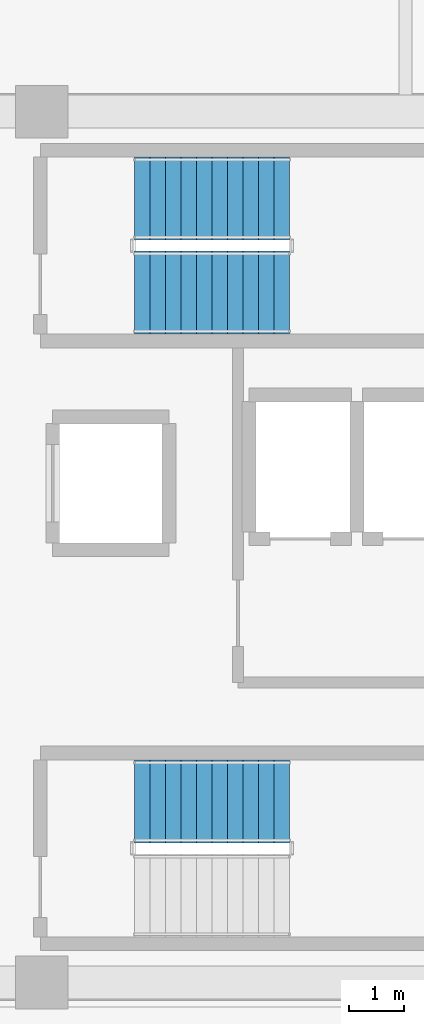
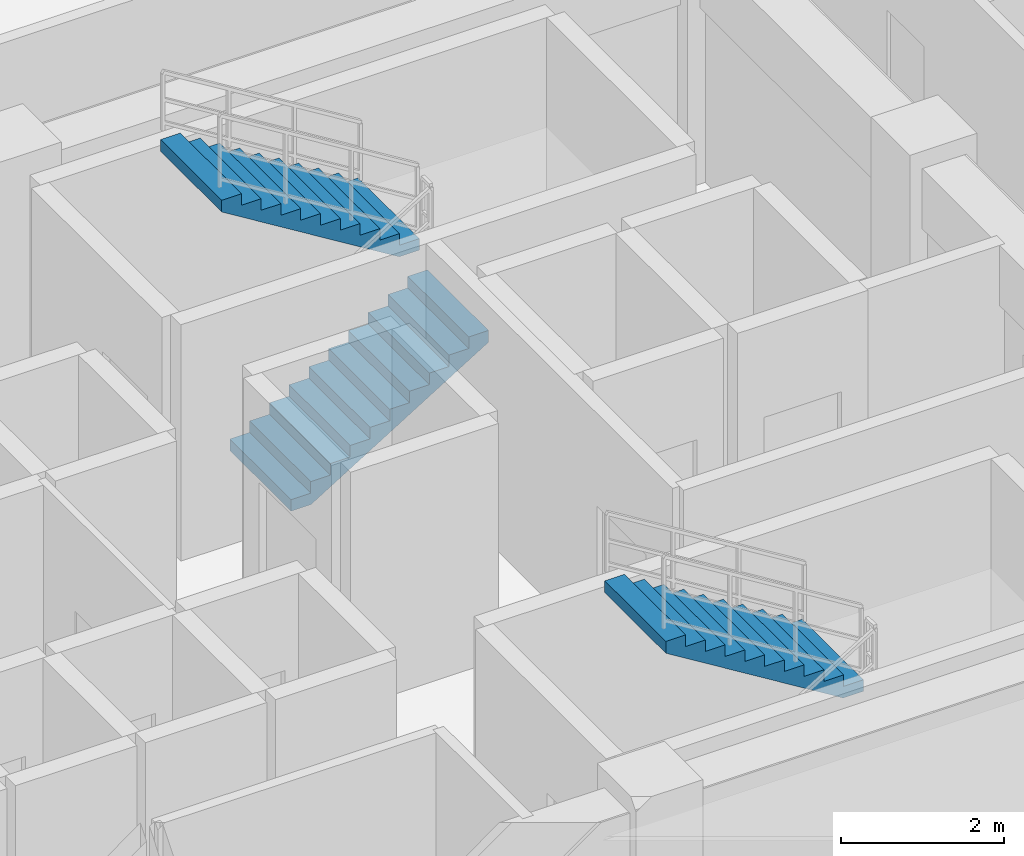
# One storey, part 9 of 12: 3 stair flights, 2 elements without a shape of their own.
"""IFC4 building model written with IfcOpenShell, lengths in metres."""

import ifcopenshell
import ifcopenshell.guid

model = None  # the IFC model being written
_history = None  # IfcOwnerHistory: only IFC2X3 demands one
_inside = {}  # id of a spatial element -> (the spatial element, [elements in it])
_under = {}  # id of a project, library or spatial element -> (it, [spatial elements below it])
_declared = {}  # id of a project -> (the project, [libraries it declares])
_typed = {}  # id of a type object -> (the type object, [elements of that type])
_made_of = {}  # id of a material, layer set ... -> (it, [elements and type objects made of it])


def new_model(schema):
    """Start an empty IFC model of exactly this schema.

    Asked for "IFC4X3", IfcOpenShell would pick the latest addendum, in which some entities
    have other attributes; the version numbers below select the first issue.
    IFC2X3 requires an IfcOwnerHistory on every rooted entity: one is made here for all.
    """
    global model, _history
    if schema == "IFC4X3":
        model = ifcopenshell.file(schema_version=(4, 3, 0, 0))
    else:
        model = ifcopenshell.file(schema=schema)
    _inside.clear()
    _under.clear()
    _declared.clear()
    _typed.clear()
    _made_of.clear()
    _history = None
    if model.schema == "IFC2X3":
        org = make("IfcOrganization", Name="unknown")
        user = make(
            "IfcPersonAndOrganization",
            ThePerson=make("IfcPerson", FamilyName="unknown"),
            TheOrganization=org,
        )
        app = make(
            "IfcApplication",
            ApplicationDeveloper=org,
            Version="unknown",
            ApplicationFullName="unknown",
            ApplicationIdentifier="unknown",
        )
        _history = make(
            "IfcOwnerHistory",
            OwningUser=user,
            OwningApplication=app,
            ChangeAction="ADDED",
            CreationDate=0,
        )
    return model


def make(cls, **values):
    """One entity of the class cls with the attributes given. An attribute that is None is left unset."""
    return model.create_entity(
        cls, **{name: value for name, value in values.items() if value is not None}
    )


def rooted(cls, **values):
    """An entity with a GlobalId (a new one), such as an element, a storey or a relation."""
    return make(cls, GlobalId=ifcopenshell.guid.new(), OwnerHistory=_history, **values)


def si_unit(unit_type, name, prefix=None):
    """IfcSIUnit, for example si_unit("LENGTHUNIT", "METRE", prefix="MILLI")."""
    return make("IfcSIUnit", UnitType=unit_type, Prefix=prefix, Name=name)


def assignment(units):
    """IfcUnitAssignment: the units of a project."""
    return None if units is None else make("IfcUnitAssignment", Units=units)


def point(xyz):
    """IfcCartesianPoint."""
    return None if xyz is None else make("IfcCartesianPoint", Coordinates=xyz)


def direction(xyz):
    """IfcDirection."""
    return None if xyz is None else make("IfcDirection", DirectionRatios=xyz)


def frame(location, z_axis=None, x_axis=None):
    """IfcAxis2Placement3D, a coordinate frame: its origin and axes. An axis left out is left unset."""
    return make(
        "IfcAxis2Placement3D",
        Location=point(location),
        Axis=direction(z_axis),
        RefDirection=direction(x_axis),
    )


def origin():
    """The frame at (0, 0, 0) with its axes left unset."""
    return frame((0.0, 0.0, 0.0))


def place(relative_to, where):
    """IfcLocalPlacement: puts the frame where relative to a parent placement (None: the world)."""
    return make(
        "IfcLocalPlacement", PlacementRelTo=relative_to, RelativePlacement=where
    )


def context(
    kind, dimensions, precision=None, world=None, true_north=None, identifier=None
):
    """IfcGeometricRepresentationContext, for example the 3D "Model" context."""
    return make(
        "IfcGeometricRepresentationContext",
        ContextIdentifier=identifier,
        ContextType=kind,
        CoordinateSpaceDimension=dimensions,
        Precision=precision,
        WorldCoordinateSystem=world,
        TrueNorth=true_north,
    )


def subcontext(parent, identifier, kind, view, scale=None):
    """IfcGeometricRepresentationSubContext, for example "Body" below "Model"."""
    return make(
        "IfcGeometricRepresentationSubContext",
        ContextIdentifier=identifier,
        ContextType=kind,
        ParentContext=parent,
        TargetScale=scale,
        TargetView=view,
    )


def project(units=None, contexts=None):
    """IfcProject with its units and contexts."""
    return rooted(
        "IfcProject",
        Name="project",
        RepresentationContexts=contexts,
        UnitsInContext=assignment(units),
    )


def spatial(cls, under=None, at=None, **own):
    """A site, building, storey or space (cls), placed at a placement, below another one or the project."""
    s = rooted(cls, ObjectPlacement=at, **own)
    if under is not None:
        _under.setdefault(under.id(), (under, []))[1].append(s)
    return s


def polyline(points):
    """IfcPolyline through the points."""
    return make("IfcPolyline", Points=[point(p) for p in points])


def outline(outer, holes=None, kind="AREA"):
    """IfcArbitraryClosedProfileDef: a profile drawn as a closed curve; with holes, ...WithVoids."""
    if holes is None:
        return make("IfcArbitraryClosedProfileDef", ProfileType=kind, OuterCurve=outer)
    return make(
        "IfcArbitraryProfileDefWithVoids",
        ProfileType=kind,
        OuterCurve=outer,
        InnerCurves=holes,
    )


def extrude(swept, where, along, depth):
    """IfcExtrudedAreaSolid: the profile swept, set in the frame where, extruded along a direction by depth."""
    return make(
        "IfcExtrudedAreaSolid",
        SweptArea=swept,
        Position=where,
        ExtrudedDirection=direction(along),
        Depth=depth,
    )


def shape(context_of_items, identifier, shape_type, items):
    """IfcShapeRepresentation: the items that make up one representation, for example the "Body"."""
    return make(
        "IfcShapeRepresentation",
        ContextOfItems=context_of_items,
        RepresentationIdentifier=identifier,
        RepresentationType=shape_type,
        Items=items,
    )


def material(Name=None, Category=None):
    """IfcMaterial."""
    return make("IfcMaterial", Name=Name, Category=Category)


def made_of(thing, what):
    """Note that an element or type object is made of a material, layer set ...; save() writes the relation."""
    if what is not None:
        _made_of.setdefault(what.id(), (what, []))[1].append(thing)
    return thing


def type_object(cls, material=None, **own):
    """A type object (cls), such as IfcWallType, which elements share."""
    return made_of(rooted(cls, **own), material)


def element(
    cls,
    number,
    at=None,
    inside=None,
    cuts=None,
    type_object=None,
    material=None,
    context=None,
    identifier="Body",
    shape_type=None,
    held_by="IfcProductDefinitionShape",
    body=None,
    shapes=None,
    **own,
):
    """One element of the class cls, such as IfcWall. Its Tag is "e" and its number.

    at: its placement. inside: the storey or other place that contains it. cuts: it is an
    opening in that element (IfcRelVoidsElement). A single representation is given by context,
    identifier, shape_type and body (its items); several are given by shapes. held_by: the class
    of the entity that holds the representations. save() writes the other relations.
    """
    e = rooted(cls, Tag="e%d" % number, ObjectPlacement=at, **own)
    if body is not None:
        shapes = [shape(context, identifier, shape_type, body)]
    if shapes is not None:
        e.Representation = make(held_by, Representations=shapes)
    if inside is not None:
        _inside.setdefault(inside.id(), (inside, []))[1].append(e)
    if cuts is not None:
        rooted(
            "IfcRelVoidsElement", RelatingBuildingElement=cuts, RelatedOpeningElement=e
        )
    if type_object is not None:
        _typed.setdefault(type_object.id(), (type_object, []))[1].append(e)
    return made_of(e, material)


def aggregate(whole, parts):
    """IfcRelAggregates: a whole, such as a stair, and the parts it consists of."""
    return rooted("IfcRelAggregates", RelatingObject=whole, RelatedObjects=parts)


def save(model, path):
    """Write the relations noted so far, then the file.

    IfcRelAggregates (storeys below a building ...), IfcRelContainedInSpatialStructure (elements
    in a storey), IfcRelDefinesByType, IfcRelAssociatesMaterial and IfcRelDeclares: one each for
    every whole, place, type object, material and project.
    """
    for whole, parts in _under.values():
        aggregate(whole, parts)
    for where, things in _inside.values():
        rooted(
            "IfcRelContainedInSpatialStructure",
            RelatedElements=things,
            RelatingStructure=where,
        )
    for kind, things in _typed.values():
        rooted("IfcRelDefinesByType", RelatedObjects=things, RelatingType=kind)
    for what, things in _made_of.values():
        rooted("IfcRelAssociatesMaterial", RelatedObjects=things, RelatingMaterial=what)
    for by, libraries in _declared.values():
        rooted("IfcRelDeclares", RelatingContext=by, RelatedDefinitions=libraries)
    model.write(path)


model = new_model("IFC4")

# Units and contexts
model_context = context("Model", 3, precision=1e-05, world=origin(), true_north=direction((0.0, 1.0)))
body_context = subcontext(model_context, "Body", "Model", "MODEL_VIEW")
ifc_project = project(units=[si_unit("LENGTHUNIT", "METRE"), si_unit("AREAUNIT", "SQUARE_METRE"), si_unit("VOLUMEUNIT", "CUBIC_METRE"), si_unit("PLANEANGLEUNIT", "RADIAN"), si_unit("MASSUNIT", "GRAM", prefix="KILO")], contexts=[model_context])

# Site, building, storey
site_placement = place(None, origin())
site = spatial("IfcSite", under=ifc_project, at=site_placement, CompositionType="ELEMENT")
building_placement = place(site_placement, origin())
building = spatial("IfcBuilding", under=site, at=building_placement, Name="Zulverin Broadcast Headquarters", CompositionType="ELEMENT")
storey_placement = place(building_placement, frame((0.0, 0.0, 170.60009765625)))
storey = spatial("IfcBuildingStorey", under=building, at=storey_placement, Name="L43", CompositionType="ELEMENT", Elevation=170.60009765625)

# Stair, stair flights
ifc_material = material(Name="Concrete C40/50", Category="concrete")
stair_type = type_object("IfcStairType", Name="ST-CORE-1500", PredefinedType="HALF_TURN_STAIR", material=ifc_material)
stair_1_placement = place(storey_placement, origin())
stair_1 = element("IfcStair", 1, at=stair_1_placement, inside=storey, type_object=stair_type, Name="L43 Core Exit Stair ST-1", PredefinedType="HALF_TURN_STAIR")
stair_flight_type = type_object("IfcStairFlightType", Name="SF-CORE-1500", PredefinedType="STRAIGHT", material=ifc_material)
stair_flight_1_placement = place(storey_placement, frame((40.1298828125, 29.800048828125, 0.0), z_axis=(0.0, 0.0, 1.0), x_axis=(1.0, 0.0, 0.0)))
stair_flight_1 = element("IfcStairFlight", 2, at=stair_flight_1_placement, type_object=stair_flight_type, Name="ST-1 flight 1", NumberOfRisers=11, NumberOfTreads=10, PredefinedType="STRAIGHT", RiserHeight=0.172727273, TreadLength=0.28, context=body_context, shape_type="SweptSolid", body=[
    extrude(outline(polyline([(0.0, 0.0), (0.0, 0.172607421875), (0.280029296875, 0.172607421875), (0.280029296875, 0.345458984375), (0.56005859375, 0.345458984375), (0.56005859375, 0.51806640625), (0.840087890625, 0.51806640625), (0.840087890625, 0.69091796875), (1.1201171875, 0.69091796875), (1.1201171875, 0.863525390625), (1.39990234375, 0.863525390625), (1.39990234375, 1.036376953125), (1.679931640625, 1.036376953125), (1.679931640625, 1.208984375), (1.9599609375, 1.208984375), (1.9599609375, 1.3818359375), (2.239990234375, 1.3818359375), (2.239990234375, 1.554443359375), (2.52001953125, 1.554443359375), (2.52001953125, 1.727294921875), (2.800048828125, 1.727294921875), (2.800048828125, 1.89990234375), (2.800048828125, 1.551025390625), (0.285400390625, 0.0), (0.0, 0.0)])), frame((0.0, 0.75, 0.0), z_axis=(0.0, -1.0, 0.0), x_axis=(1.0, 0.0, 0.0)), (0.0, 0.0, 1.0), 1.5),
])
stair_flight_2_placement = place(storey_placement, frame((42.929931640625, 31.5, 1.89990234375), z_axis=(0.0, 0.0, 1.0), x_axis=(-1.0, 0.0, 0.0)))
stair_flight_2 = element("IfcStairFlight", 3, at=stair_flight_2_placement, type_object=stair_flight_type, Name="ST-1 flight 2", NumberOfRisers=11, NumberOfTreads=10, PredefinedType="STRAIGHT", RiserHeight=0.172727273, TreadLength=0.28, context=body_context, shape_type="SweptSolid", body=[
    extrude(outline(polyline([(0.0, 0.0), (0.0, 0.172607421875), (0.280029296875, 0.172607421875), (0.280029296875, 0.345458984375), (0.56005859375, 0.345458984375), (0.56005859375, 0.51806640625), (0.840087890625, 0.51806640625), (0.840087890625, 0.69091796875), (1.1201171875, 0.69091796875), (1.1201171875, 0.863525390625), (1.39990234375, 0.863525390625), (1.39990234375, 1.036376953125), (1.679931640625, 1.036376953125), (1.679931640625, 1.208984375), (1.9599609375, 1.208984375), (1.9599609375, 1.3818359375), (2.239990234375, 1.3818359375), (2.239990234375, 1.554443359375), (2.52001953125, 1.554443359375), (2.52001953125, 1.727294921875), (2.800048828125, 1.727294921875), (2.800048828125, 1.89990234375), (2.800048828125, 1.551025390625), (0.285400390625, 0.0), (0.0, 0.0)])), frame((0.0, 0.75, 0.0), z_axis=(0.0, -1.0, 0.0), x_axis=(1.0, 0.0, 0.0)), (0.0, 0.0, 1.0), 1.5),
])
aggregate(stair_1, [stair_flight_1, stair_flight_2])

# Stair, stair flight
stair_2_placement = place(storey_placement, origin())
stair_2 = element("IfcStair", 4, at=stair_2_placement, inside=storey, type_object=stair_type, Name="L43 Core Exit Stair ST-2", PredefinedType="HALF_TURN_STAIR")
stair_flight_3_placement = place(storey_placement, frame((42.929931640625, 20.60009765625, 1.89990234375), z_axis=(0.0, 0.0, 1.0), x_axis=(-1.0, 0.0, 0.0)))
stair_flight_3 = element("IfcStairFlight", 5, at=stair_flight_3_placement, type_object=stair_flight_type, Name="ST-2 flight 2", NumberOfRisers=11, NumberOfTreads=10, PredefinedType="STRAIGHT", RiserHeight=0.172727273, TreadLength=0.28, context=body_context, shape_type="SweptSolid", body=[
    extrude(outline(polyline([(0.0, 0.0), (0.0, 0.172607421875), (0.280029296875, 0.172607421875), (0.280029296875, 0.345458984375), (0.56005859375, 0.345458984375), (0.56005859375, 0.51806640625), (0.840087890625, 0.51806640625), (0.840087890625, 0.69091796875), (1.1201171875, 0.69091796875), (1.1201171875, 0.863525390625), (1.39990234375, 0.863525390625), (1.39990234375, 1.036376953125), (1.679931640625, 1.036376953125), (1.679931640625, 1.208984375), (1.9599609375, 1.208984375), (1.9599609375, 1.3818359375), (2.239990234375, 1.3818359375), (2.239990234375, 1.554443359375), (2.52001953125, 1.554443359375), (2.52001953125, 1.727294921875), (2.800048828125, 1.727294921875), (2.800048828125, 1.89990234375), (2.800048828125, 1.551025390625), (0.285400390625, 0.0), (0.0, 0.0)])), frame((0.0, 0.75, 0.0), z_axis=(0.0, -1.0, 0.0), x_axis=(1.0, 0.0, 0.0)), (0.0, 0.0, 1.0), 1.5),
])
aggregate(stair_2, [stair_flight_3])

save(model, "model.ifc")
